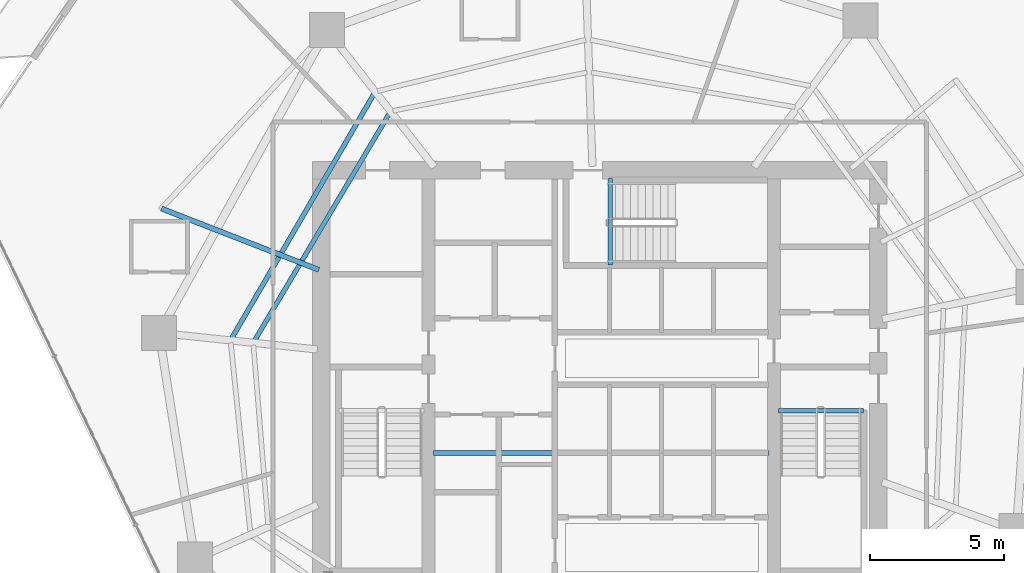
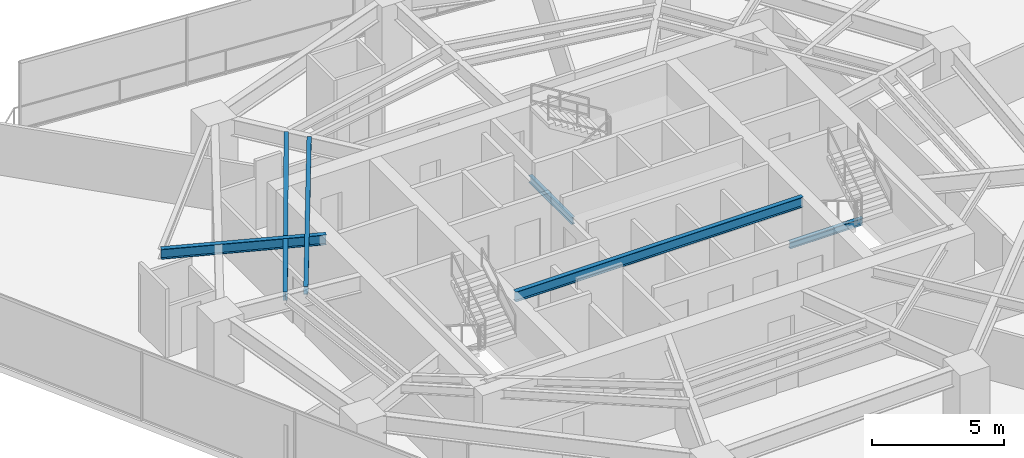
# One storey, part 10 of 30: 6 beams.
"""IFC4 building model written with IfcOpenShell, lengths in metres."""

from ifc_helpers import new_model, si_unit, direction, frame, origin, origin_2d, place, context, subcontext, project, spatial, i_section, extrude, material, material_profile, profile_set, type_object, element, save


model = new_model("IFC4")

# Units and contexts
model_context = context("Model", 3, precision=1e-05, world=origin(), true_north=direction((0.0, 1.0)))
body_context = subcontext(model_context, "Body", "Model", "MODEL_VIEW")
ifc_project = project(units=[si_unit("LENGTHUNIT", "METRE"), si_unit("AREAUNIT", "SQUARE_METRE"), si_unit("VOLUMEUNIT", "CUBIC_METRE"), si_unit("PLANEANGLEUNIT", "RADIAN"), si_unit("MASSUNIT", "GRAM", prefix="KILO")], contexts=[model_context])

# Site, building, storey
site_placement = place(None, origin())
site = spatial("IfcSite", under=ifc_project, at=site_placement, CompositionType="ELEMENT")
building_placement = place(site_placement, origin())
building = spatial("IfcBuilding", under=site, at=building_placement, Name="Qarnah Convention Tower", CompositionType="ELEMENT")
storey_placement = place(building_placement, frame((0.0, 0.0, 51.14990234375)))
storey = spatial("IfcBuildingStorey", under=building, at=storey_placement, Name="L12", CompositionType="ELEMENT", Elevation=51.14990234375)

# Beams
ifc_material = material(Name="Structural steel S355JR", Category="steel")
ifc_material_profile_1 = material_profile(ifc_material, i_section(OverallWidth=0.19189453125, OverallDepth=0.464111328125, WebThickness=0.010986328125, FlangeThickness=0.01806640625, at=origin_2d()), Name="W460X89")
ifc_profile_set_1 = profile_set([ifc_material_profile_1], Name="Structural steel S355JR")
beam_type_1 = type_object("IfcBeamType", Name="BM-CANT-W460A", PredefinedType="BEAM", material=ifc_profile_set_1)
beam_1_placement = place(storey_placement, frame((30.97998046875, 23.64990234375, 2.93798828125), z_axis=(1.0, 0.0, 0.0), x_axis=(0.0, 1.0, 0.0)))
element("IfcBeam", 1, at=beam_1_placement, inside=storey, type_object=beam_type_1, Name="L12 beam BM-L12-KC1", PredefinedType="BEAM", context=body_context, shape_type="SweptSolid", body=[
    extrude(i_section(OverallWidth=0.19189453125, OverallDepth=0.464111328125, WebThickness=0.010986328125, FlangeThickness=0.01806640625, at=origin_2d()), origin(), (0.0, 0.0, 1.0), 12.5400390625),
])
beam_2_placement = place(storey_placement, frame((26.70703125, 30.48388671875, 2.93798828125), z_axis=(-0.931897088326, 0.36272278226, 0.0), x_axis=(-0.36272278226, -0.931897088326, 0.0)))
element("IfcBeam", 2, at=beam_2_placement, inside=storey, type_object=beam_type_1, Name="L12 beam BM-L12-CNT-02-2", PredefinedType="BEAM", context=body_context, shape_type="SweptSolid", body=[
    extrude(i_section(OverallWidth=0.19189453125, OverallDepth=0.464111328125, WebThickness=0.010986328125, FlangeThickness=0.01806640625, at=origin_2d()), origin(), (0.0, 0.0, 1.0), 6.305419921875),
])
ifc_material_profile_2 = material_profile(ifc_material, i_section(OverallWidth=0.166015625, OverallDepth=0.31201171875, WebThickness=0.007080078125, FlangeThickness=0.010986328125, at=origin_2d()), Name="W310X45")
ifc_profile_set_2 = profile_set([ifc_material_profile_2], Name="Structural steel S355JR")
beam_type_2 = type_object("IfcBeamType", Name="BM-JST-W310", PredefinedType="JOIST", material=ifc_profile_set_2)
beam_3_placement = place(storey_placement, frame((43.860107421875, 25.217041015625, -0.156005859375), z_axis=(1.0, 0.0, 0.0), x_axis=(0.0, 1.0, 0.0)))
element("IfcBeam", 3, at=beam_3_placement, inside=storey, type_object=beam_type_2, Name="L12 stair landing trimmer beam BM-L12-ST2-TRM", PredefinedType="BEAM", context=body_context, shape_type="SweptSolid", body=[
    extrude(i_section(OverallWidth=0.166015625, OverallDepth=0.31201171875, WebThickness=0.007080078125, FlangeThickness=0.010986328125, at=origin_2d()), origin(), (0.0, 0.0, 1.0), 3.179931640625),
])
beam_4_placement = place(storey_placement, frame((37.5830078125, 30.659912109375, -0.156005859375), z_axis=(0.0, 1.0, 0.0), x_axis=(-1.0, 0.0, 0.0)))
element("IfcBeam", 4, at=beam_4_placement, inside=storey, type_object=beam_type_2, Name="L12 stair landing trimmer beam BM-L12-ST3-TRM", PredefinedType="BEAM", context=body_context, shape_type="SweptSolid", body=[
    extrude(i_section(OverallWidth=0.166015625, OverallDepth=0.31201171875, WebThickness=0.007080078125, FlangeThickness=0.010986328125, at=origin_2d()), origin(), (0.0, 0.0, 1.0), 3.239990234375),
])
ifc_material_profile_3 = material_profile(ifc_material, i_section(OverallWidth=0.172119140625, OverallDepth=0.35595703125, WebThickness=0.007080078125, FlangeThickness=0.011962890625, at=origin_2d()), Name="W360X51")
ifc_profile_set_3 = profile_set([ifc_material_profile_3], Name="Structural steel S355JR")
beam_type_3 = type_object("IfcBeamType", Name="BM-JST-W360", PredefinedType="JOIST", material=ifc_profile_set_3)
beam_5_placement = place(storey_placement, frame((29.340087890625, 36.324951171875, 2.9921875), z_axis=(-0.510529038741, -0.859860512294, 0.0), x_axis=(0.859860512294, -0.510529038741, 0.0)))
element("IfcBeam", 5, at=beam_5_placement, inside=storey, type_object=beam_type_3, Name="L12 joist BM-L12-IJST-04", PredefinedType="JOIST", context=body_context, shape_type="SweptSolid", body=[
    extrude(i_section(OverallWidth=0.172119140625, OverallDepth=0.35595703125, WebThickness=0.007080078125, FlangeThickness=0.011962890625, at=origin_2d()), origin(), (0.0, 0.0, 1.0), 9.870361328125),
])
ifc_material_profile_4 = material_profile(ifc_material, i_section(OverallWidth=0.177978515625, OverallDepth=0.407958984375, WebThickness=0.008056640625, FlangeThickness=0.012939453125, at=origin_2d()), Name="W410X60")
ifc_profile_set_4 = profile_set([ifc_material_profile_4], Name="Structural steel S355JR")
beam_type_4 = type_object("IfcBeamType", Name="BM-JST-W410", PredefinedType="JOIST", material=ifc_profile_set_4)
beam_6_placement = place(storey_placement, frame((28.76806640625, 37.05810546875, 2.966064453125), z_axis=(-0.503182646142, -0.864180088073, 0.0), x_axis=(0.864180088073, -0.503182646142, 0.0)))
element("IfcBeam", 6, at=beam_6_placement, inside=storey, type_object=beam_type_4, Name="L12 joist BM-L12-SJST-04", PredefinedType="JOIST", context=body_context, shape_type="SweptSolid", body=[
    extrude(i_section(OverallWidth=0.177978515625, OverallDepth=0.407958984375, WebThickness=0.008056640625, FlangeThickness=0.012939453125, at=origin_2d()), origin(), (0.0, 0.0, 1.0), 10.565185546875),
])

save(model, "model.ifc")
